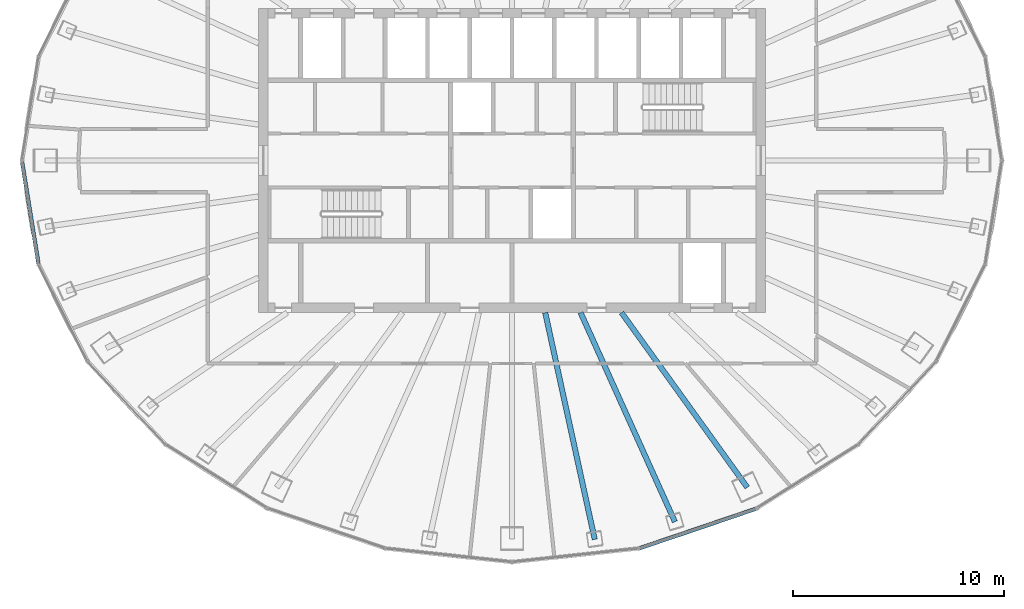
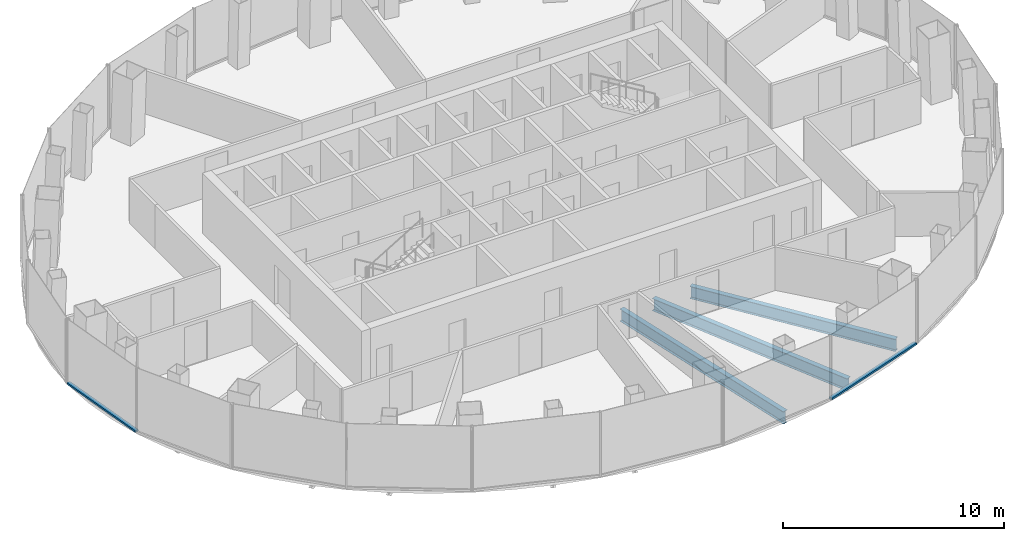
# One storey, part 3 of 11: 3 beams, 2 members, 2 elements without a shape of their own.
"""IFC4 building model written with IfcOpenShell, lengths in metres."""

from ifc_helpers import new_model, si_unit, direction, frame, origin, origin_2d, place, context, subcontext, project, spatial, rectangle, i_section, extrude, material, layer, layer_set, material_profile, profile_set, type_object, element, aggregate, save


model = new_model("IFC4")

# Units and contexts
model_context = context("Model", 3, precision=1e-05, world=origin(), true_north=direction((0.0, 1.0)))
body_context = subcontext(model_context, "Body", "Model", "MODEL_VIEW")
ifc_project = project(units=[si_unit("LENGTHUNIT", "METRE"), si_unit("AREAUNIT", "SQUARE_METRE"), si_unit("VOLUMEUNIT", "CUBIC_METRE"), si_unit("PLANEANGLEUNIT", "RADIAN"), si_unit("MASSUNIT", "GRAM", prefix="KILO")], contexts=[model_context])

# Site, building, storey
site_placement = place(None, origin())
site = spatial("IfcSite", under=ifc_project, at=site_placement, CompositionType="ELEMENT")
building_placement = place(site_placement, origin())
building = spatial("IfcBuilding", under=site, at=building_placement, Name="Siaravel Broadcast Tower", CompositionType="ELEMENT")
storey_placement = place(building_placement, frame((0.0, 0.0, 183.0)))
storey = spatial("IfcBuildingStorey", under=building, at=storey_placement, Name="L44", CompositionType="ELEMENT", Elevation=183.0)

# Beams
ifc_material_1 = material(Name="Steel S355", Category="steel")
ifc_material_profile_1 = material_profile(ifc_material_1, i_section(OverallWidth=0.2529296875, OverallDepth=0.677978515625, WebThickness=0.01171875, FlangeThickness=0.01611328125, FilletRadius=0.01513671875, at=origin_2d()))
ifc_profile_set_1 = profile_set([ifc_material_profile_1], Name="Steel S355")
beam_type = type_object("IfcBeamType", Name="BM-UB 686x254x125", PredefinedType="BEAM", material=ifc_profile_set_1)
beam_1_placement = place(storey_placement, frame((3.915771484375, -17.9296875, -0.489013671875), z_axis=(-0.213360748, 0.976973485, 0.0), x_axis=(-0.976973485, -0.213360748, 0.0)))
element("IfcBeam", 1, at=beam_1_placement, inside=storey, type_object=beam_type, Name="Radial beam RB29", PredefinedType="BEAM", context=body_context, shape_type="SweptSolid", body=[
    extrude(i_section(OverallWidth=0.2529296875, OverallDepth=0.677978515625, WebThickness=0.01171875, FlangeThickness=0.01611328125, FilletRadius=0.01513671875, at=origin_2d()), origin(), (0.0, 0.0, 1.0), 10.982666015625),
])
beam_2_placement = place(storey_placement, frame((7.709228515625, -17.097412109375, -0.489013671875), z_axis=(-0.41103777, 0.911618315, 0.0), x_axis=(-0.911618315, -0.41103777, 0.0)))
element("IfcBeam", 2, at=beam_2_placement, inside=storey, type_object=beam_type, Name="Radial beam RB30", PredefinedType="BEAM", context=body_context, shape_type="SweptSolid", body=[
    extrude(i_section(OverallWidth=0.2529296875, OverallDepth=0.677978515625, WebThickness=0.01171875, FlangeThickness=0.01611328125, FilletRadius=0.01513671875, at=origin_2d()), origin(), (0.0, 0.0, 1.0), 10.85693359375),
])
beam_3_placement = place(storey_placement, frame((11.134033203125, -15.468994140625, -0.489013671875), z_axis=(-0.584172151, 0.811629779, 0.0), x_axis=(-0.811629779, -0.584172151, 0.0)))
element("IfcBeam", 3, at=beam_3_placement, inside=storey, type_object=beam_type, Name="Radial beam RB31", PredefinedType="BEAM", context=body_context, shape_type="SweptSolid", body=[
    extrude(i_section(OverallWidth=0.2529296875, OverallDepth=0.677978515625, WebThickness=0.01171875, FlangeThickness=0.01611328125, FilletRadius=0.01513671875, at=origin_2d()), origin(), (0.0, 0.0, 1.0), 10.188232421875),
])

# Curtain wall, member
ifc_material_2 = material(Name="Aluminium 6063-T6", Category="aluminium")
ifc_layer = layer(ifc_material_2, 0.179931640625)
ifc_layer_set = layer_set([ifc_layer], Name="Aluminium 6063-T6")
curtain_wall_type = type_object("IfcCurtainWallType", Name="Unitised curtain wall, zone 3", PredefinedType="NOTDEFINED", material=ifc_layer_set)
curtain_wall_1_placement = place(storey_placement, origin())
curtain_wall_1 = element("IfcCurtainWall", 4, at=curtain_wall_1_placement, inside=storey, type_object=curtain_wall_type, Name="L44 Unitised curtain wall, zone 3 07", PredefinedType="NOTDEFINED")
ifc_material_profile_2 = material_profile(ifc_material_2, rectangle(XDim=0.179931640625, YDim=0.10009765625, at=origin_2d()))
ifc_profile_set_2 = profile_set([ifc_material_profile_2], Name="Aluminium 6063-T6")
member_type = type_object("IfcMemberType", Name="CW-Z3 transom", PredefinedType="USERDEFINED", material=ifc_profile_set_2)
member_1_placement = place(storey_placement, frame((-23.18505859375, -0.05908203125, 0.050048828125), z_axis=(0.158686777, -0.987328976, 0.0), x_axis=(0.987328976, 0.158686777, 0.0)))
member_1 = element("IfcMember", 5, at=member_1_placement, type_object=member_type, Name="CW-Z3 transom 1", ObjectType="TRANSOM", PredefinedType="USERDEFINED", context=body_context, shape_type="SweptSolid", body=[
    extrude(rectangle(XDim=0.179931640625, YDim=0.10009765625, at=origin_2d()), origin(), (0.0, 0.0, 1.0), 4.8955078125),
])
aggregate(curtain_wall_1, [member_1])

curtain_wall_2_placement = place(storey_placement, origin())
curtain_wall_2 = element("IfcCurtainWall", 6, at=curtain_wall_2_placement, inside=storey, type_object=curtain_wall_type, Name="L44 Unitised curtain wall, zone 3 10", PredefinedType="NOTDEFINED")
member_2_placement = place(storey_placement, frame((6.029296875, -18.35107421875, 0.050048828125), z_axis=(0.946978016, 0.321298361, 0.0), x_axis=(-0.321298361, 0.946978016, 0.0)))
member_2 = element("IfcMember", 7, at=member_2_placement, type_object=member_type, Name="CW-Z3 transom 2", ObjectType="TRANSOM", PredefinedType="USERDEFINED", context=body_context, shape_type="SweptSolid", body=[
    extrude(rectangle(XDim=0.179931640625, YDim=0.10009765625, at=origin_2d()), origin(), (0.0, 0.0, 1.0), 5.81591796875),
])
aggregate(curtain_wall_2, [member_2])

save(model, "model.ifc")
